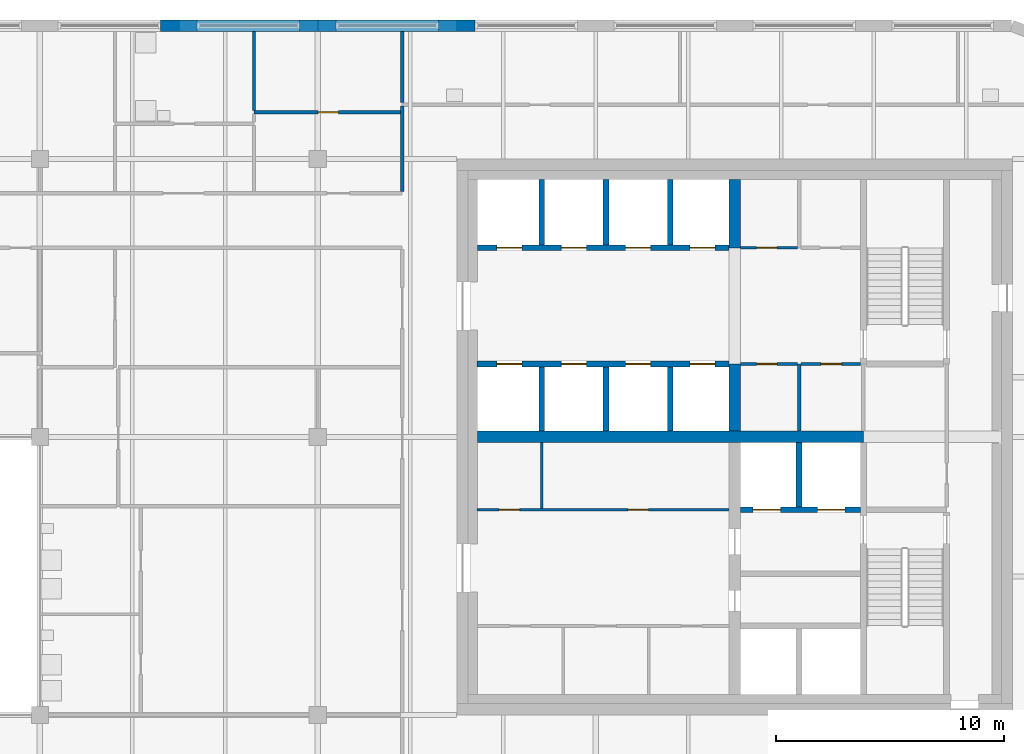
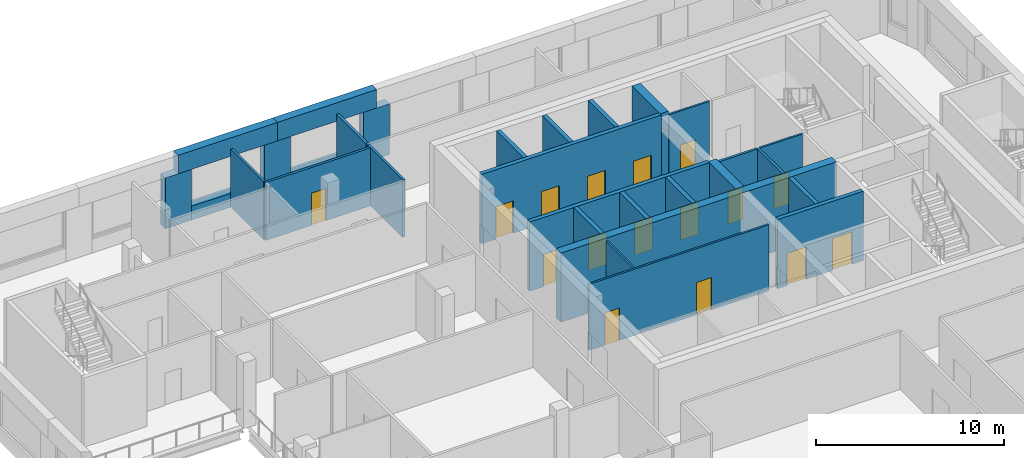
# One storey, part 15 of 21: 30 walls, 16 doors, 16 openings.
"""IFC4 building model written with IfcOpenShell, lengths in metres."""

from ifc_helpers import new_model, si_unit, direction, frame, frame_2d, origin, place, context, subcontext, project, spatial, polyline, rectangle, outline, extrude, faceted_brep, source, transform, mapped, material, layer, layer_set, type_object, element, fill, save


model = new_model("IFC4")

# Units and contexts
model_context = context("Model", 3, precision=1e-05, world=origin(), true_north=direction((0.0, 1.0)))
body_context = subcontext(model_context, "Body", "Model", "MODEL_VIEW")
ifc_project = project(units=[si_unit("LENGTHUNIT", "METRE"), si_unit("AREAUNIT", "SQUARE_METRE"), si_unit("VOLUMEUNIT", "CUBIC_METRE"), si_unit("PLANEANGLEUNIT", "RADIAN"), si_unit("MASSUNIT", "GRAM", prefix="KILO")], contexts=[model_context])

# Site, building, storey
site_placement = place(None, origin())
site = spatial("IfcSite", under=ifc_project, at=site_placement, CompositionType="ELEMENT")
building_placement = place(site_placement, origin())
building = spatial("IfcBuilding", under=site, at=building_placement, Name="Tessera Gate Towers", CompositionType="ELEMENT")
storey_placement = place(building_placement, frame((0.0, 0.0, 193.39990234375)))
storey = spatial("IfcBuildingStorey", under=building, at=storey_placement, Name="L48", CompositionType="ELEMENT", Elevation=193.39990234375)

# Wall, openings, doors
ifc_material_1 = material(Name="Concrete C40/50", Category="concrete")
ifc_layer_1 = layer(ifc_material_1, 0.25)
ifc_layer_set_1 = layer_set([ifc_layer_1], Name="CORE ENCLOSURE WALL 250")
wall_type_1 = type_object("IfcWallType", Name="CORE ENCLOSURE WALL 250", PredefinedType="SOLIDWALL", material=ifc_layer_set_1)
wall_1_placement = place(storey_placement, frame((31.39990234375, 39.800048828125, 0.0), z_axis=(0.0, 0.0, 1.0), x_axis=(1.0, 0.0, 0.0)))
wall_1 = element("IfcWall", 1, at=wall_1_placement, inside=storey, type_object=wall_type_1, Name="L48 shaft and stair enclosure wall", PredefinedType="SOLIDWALL", context=body_context, shape_type="SweptSolid", body=[
    extrude(rectangle(XDim=11.050048828125, YDim=0.25, at=frame_2d((5.52490234375, 0.0))), origin(), (0.0, 0.0, 1.0), 4.5),
])
shared_shape_1 = source(origin(), body_context, "Body", "SweptSolid", [
    extrude(rectangle(XDim=1.10009765625, YDim=2.10009765625, at=frame_2d((0.550048828125, 1.050048828125))), frame((0.0, 0.135009765625, 0.0), z_axis=(0.0, -1.0, 0.0), x_axis=(1.0, 0.0, 0.0)), (0.0, 0.0, 1.0), 0.27001953125),
])
opening_1_placement = place(wall_1_placement, frame((0.862548828125, 0.0, 0.0)))
opening_1 = element("IfcOpeningElement", 2, at=opening_1_placement, cuts=wall_1, Name="Opening LD-HR1", PredefinedType="OPENING", context=body_context, shape_type="MappedRepresentation", body=[
    mapped(shared_shape_1, transform((0.0, 0.0, 0.0), scale=1.0)),
])
opening_2_placement = place(wall_1_placement, frame((3.6875, 0.0, 0.0)))
opening_2 = element("IfcOpeningElement", 3, at=opening_2_placement, cuts=wall_1, Name="Opening LD-HR2", PredefinedType="OPENING", context=body_context, shape_type="MappedRepresentation", body=[
    mapped(shared_shape_1, transform((0.0, 0.0, 0.0), scale=1.0)),
])
opening_3_placement = place(wall_1_placement, frame((6.512451171875, 0.0, 0.0)))
opening_3 = element("IfcOpeningElement", 4, at=opening_3_placement, cuts=wall_1, Name="Opening LD-HR3", PredefinedType="OPENING", context=body_context, shape_type="MappedRepresentation", body=[
    mapped(shared_shape_1, transform((0.0, 0.0, 0.0), scale=1.0)),
])
opening_4_placement = place(wall_1_placement, frame((9.33740234375, 0.0, 0.0)))
opening_4 = element("IfcOpeningElement", 5, at=opening_4_placement, cuts=wall_1, Name="Opening LD-HR4", PredefinedType="OPENING", context=body_context, shape_type="MappedRepresentation", body=[
    mapped(shared_shape_1, transform((0.0, 0.0, 0.0), scale=1.0)),
])
ifc_material_2 = material(Name="Stainless steel", Category="steel")
door_type_1 = type_object("IfcDoorType", Name="CORE DOOR LD 1100x2100", OperationType="DOUBLE_DOOR_SLIDING", PredefinedType="DOOR", material=ifc_material_2)
shared_shape_2 = source(origin(), body_context, "Body", "SweptSolid", [
    extrude(rectangle(XDim=1.10009765625, YDim=2.10009765625, at=frame_2d((0.550048828125, 1.050048828125))), frame((0.0, 0.02490234375, 0.0), z_axis=(0.0, -1.0, 0.0), x_axis=(1.0, 0.0, 0.0)), (0.0, 0.0, 1.0), 0.050048828125),
])
door_1_placement = place(opening_1_placement, origin())
door_1 = element("IfcDoor", 6, at=door_1_placement, inside=storey, type_object=door_type_1, Name="Landing door HR1 L48", OperationType="DOUBLE_DOOR_SLIDING", OverallHeight=2.10009765625, OverallWidth=1.10009765625, PredefinedType="DOOR", context=body_context, shape_type="MappedRepresentation", body=[
    mapped(shared_shape_2, transform((0.0, 0.0, 0.0), scale=1.0)),
])
fill(opening_1, door_1)
door_2_placement = place(opening_2_placement, origin())
door_2 = element("IfcDoor", 7, at=door_2_placement, inside=storey, type_object=door_type_1, Name="Landing door HR2 L48", OperationType="DOUBLE_DOOR_SLIDING", OverallHeight=2.10009765625, OverallWidth=1.10009765625, PredefinedType="DOOR", context=body_context, shape_type="MappedRepresentation", body=[
    mapped(shared_shape_2, transform((0.0, 0.0, 0.0), scale=1.0)),
])
fill(opening_2, door_2)
door_3_placement = place(opening_3_placement, origin())
door_3 = element("IfcDoor", 8, at=door_3_placement, inside=storey, type_object=door_type_1, Name="Landing door HR3 L48", OperationType="DOUBLE_DOOR_SLIDING", OverallHeight=2.10009765625, OverallWidth=1.10009765625, PredefinedType="DOOR", context=body_context, shape_type="MappedRepresentation", body=[
    mapped(shared_shape_2, transform((0.0, 0.0, 0.0), scale=1.0)),
])
fill(opening_3, door_3)
door_4_placement = place(opening_4_placement, origin())
door_4 = element("IfcDoor", 9, at=door_4_placement, inside=storey, type_object=door_type_1, Name="Landing door HR4 L48", OperationType="DOUBLE_DOOR_SLIDING", OverallHeight=2.10009765625, OverallWidth=1.10009765625, PredefinedType="DOOR", context=body_context, shape_type="MappedRepresentation", body=[
    mapped(shared_shape_2, transform((0.0, 0.0, 0.0), scale=1.0)),
])
fill(opening_4, door_4)

wall_2_placement = place(storey_placement, frame((42.449951171875, 44.89990234375, 0.0), z_axis=(0.0, 0.0, 1.0), x_axis=(-1.0, 0.0, 0.0)))
wall_2 = element("IfcWall", 10, at=wall_2_placement, inside=storey, type_object=wall_type_1, Name="L48 shaft and stair enclosure wall", PredefinedType="SOLIDWALL", context=body_context, shape_type="SweptSolid", body=[
    extrude(rectangle(XDim=11.050048828125, YDim=0.25, at=frame_2d((5.52490234375, 0.0))), origin(), (0.0, 0.0, 1.0), 4.5),
])
opening_5_placement = place(wall_2_placement, frame((9.08740234375, 0.0, 0.0)))
opening_5 = element("IfcOpeningElement", 11, at=opening_5_placement, cuts=wall_2, Name="Opening LD-HR5", PredefinedType="OPENING", context=body_context, shape_type="MappedRepresentation", body=[
    mapped(shared_shape_1, transform((0.0, 0.0, 0.0), scale=1.0)),
])
opening_6_placement = place(wall_2_placement, frame((6.262451171875, 0.0, 0.0)))
opening_6 = element("IfcOpeningElement", 12, at=opening_6_placement, cuts=wall_2, Name="Opening LD-HR6", PredefinedType="OPENING", context=body_context, shape_type="MappedRepresentation", body=[
    mapped(shared_shape_1, transform((0.0, 0.0, 0.0), scale=1.0)),
])
opening_7_placement = place(wall_2_placement, frame((3.4375, 0.0, 0.0)))
opening_7 = element("IfcOpeningElement", 13, at=opening_7_placement, cuts=wall_2, Name="Opening LD-HR7", PredefinedType="OPENING", context=body_context, shape_type="MappedRepresentation", body=[
    mapped(shared_shape_1, transform((0.0, 0.0, 0.0), scale=1.0)),
])
opening_8_placement = place(wall_2_placement, frame((0.612548828125, 0.0, 0.0)))
opening_8 = element("IfcOpeningElement", 14, at=opening_8_placement, cuts=wall_2, Name="Opening LD-HR8", PredefinedType="OPENING", context=body_context, shape_type="MappedRepresentation", body=[
    mapped(shared_shape_1, transform((0.0, 0.0, 0.0), scale=1.0)),
])
door_5_placement = place(opening_5_placement, origin())
door_5 = element("IfcDoor", 15, at=door_5_placement, inside=storey, type_object=door_type_1, Name="Landing door HR5 L48", OperationType="DOUBLE_DOOR_SLIDING", OverallHeight=2.10009765625, OverallWidth=1.10009765625, PredefinedType="DOOR", context=body_context, shape_type="MappedRepresentation", body=[
    mapped(shared_shape_2, transform((0.0, 0.0, 0.0), scale=1.0)),
])
fill(opening_5, door_5)
door_6_placement = place(opening_6_placement, origin())
door_6 = element("IfcDoor", 16, at=door_6_placement, inside=storey, type_object=door_type_1, Name="Landing door HR6 L48", OperationType="DOUBLE_DOOR_SLIDING", OverallHeight=2.10009765625, OverallWidth=1.10009765625, PredefinedType="DOOR", context=body_context, shape_type="MappedRepresentation", body=[
    mapped(shared_shape_2, transform((0.0, 0.0, 0.0), scale=1.0)),
])
fill(opening_6, door_6)
door_7_placement = place(opening_7_placement, origin())
door_7 = element("IfcDoor", 17, at=door_7_placement, inside=storey, type_object=door_type_1, Name="Landing door HR7 L48", OperationType="DOUBLE_DOOR_SLIDING", OverallHeight=2.10009765625, OverallWidth=1.10009765625, PredefinedType="DOOR", context=body_context, shape_type="MappedRepresentation", body=[
    mapped(shared_shape_2, transform((0.0, 0.0, 0.0), scale=1.0)),
])
fill(opening_7, door_7)
door_8_placement = place(opening_8_placement, origin())
door_8 = element("IfcDoor", 18, at=door_8_placement, inside=storey, type_object=door_type_1, Name="Landing door HR8 L48", OperationType="DOUBLE_DOOR_SLIDING", OverallHeight=2.10009765625, OverallWidth=1.10009765625, PredefinedType="DOOR", context=body_context, shape_type="MappedRepresentation", body=[
    mapped(shared_shape_2, transform((0.0, 0.0, 0.0), scale=1.0)),
])
fill(opening_8, door_8)

wall_3_placement = place(storey_placement, frame((48.22509765625, 33.39990234375, 0.0), z_axis=(0.0, 0.0, 1.0), x_axis=(-1.0, 0.0, 0.0)))
wall_3 = element("IfcWall", 19, at=wall_3_placement, inside=storey, type_object=wall_type_1, Name="L48 shaft and stair enclosure wall", PredefinedType="SOLIDWALL", context=body_context, shape_type="SweptSolid", body=[
    extrude(rectangle(XDim=5.275146484375, YDim=0.25, at=frame_2d((2.6376953125, 0.0))), origin(), (0.0, 0.0, 1.0), 4.5),
])
shared_shape_3 = source(origin(), body_context, "Body", "SweptSolid", [
    extrude(rectangle(XDim=1.199951171875, YDim=2.10009765625, at=frame_2d((0.60009765625, 1.050048828125))), frame((0.0, 0.135009765625, 0.0), z_axis=(0.0, -1.0, 0.0), x_axis=(1.0, 0.0, 0.0)), (0.0, 0.0, 1.0), 0.27001953125),
])
opening_9_placement = place(wall_3_placement, frame((3.512451171875, 0.0, 0.0)))
opening_9 = element("IfcOpeningElement", 20, at=opening_9_placement, cuts=wall_3, Name="Opening LD-FF1", PredefinedType="OPENING", context=body_context, shape_type="MappedRepresentation", body=[
    mapped(shared_shape_3, transform((0.0, 0.0, 0.0), scale=1.0)),
])
opening_10_placement = place(wall_3_placement, frame((0.6875, 0.0, 0.0)))
opening_10 = element("IfcOpeningElement", 21, at=opening_10_placement, cuts=wall_3, Name="Opening LD-FF2", PredefinedType="OPENING", context=body_context, shape_type="MappedRepresentation", body=[
    mapped(shared_shape_3, transform((0.0, 0.0, 0.0), scale=1.0)),
])
ifc_material_3 = material(Name="Stainless steel", Category="steel")
door_type_2 = type_object("IfcDoorType", Name="CORE DOOR LD1200 1200x2100", OperationType="DOUBLE_DOOR_SLIDING", PredefinedType="DOOR", material=ifc_material_3)
shared_shape_4 = source(origin(), body_context, "Body", "SweptSolid", [
    extrude(rectangle(XDim=1.199951171875, YDim=2.10009765625, at=frame_2d((0.60009765625, 1.050048828125))), frame((0.0, 0.02490234375, 0.0), z_axis=(0.0, -1.0, 0.0), x_axis=(1.0, 0.0, 0.0)), (0.0, 0.0, 1.0), 0.050048828125),
])
door_9_placement = place(opening_9_placement, origin())
door_9 = element("IfcDoor", 22, at=door_9_placement, inside=storey, type_object=door_type_2, Name="Landing door FF1 L48", OperationType="DOUBLE_DOOR_SLIDING", OverallHeight=2.10009765625, OverallWidth=1.199951171875, PredefinedType="DOOR", context=body_context, shape_type="MappedRepresentation", body=[
    mapped(shared_shape_4, transform((0.0, 0.0, 0.0), scale=1.0)),
])
fill(opening_9, door_9)
door_10_placement = place(opening_10_placement, origin())
door_10 = element("IfcDoor", 23, at=door_10_placement, inside=storey, type_object=door_type_2, Name="Landing door FF2 L48", OperationType="DOUBLE_DOOR_SLIDING", OverallHeight=2.10009765625, OverallWidth=1.199951171875, PredefinedType="DOOR", context=body_context, shape_type="MappedRepresentation", body=[
    mapped(shared_shape_4, transform((0.0, 0.0, 0.0), scale=1.0)),
])
fill(opening_10, door_10)

# Walls
for number, where, z_axis, x_axis, name in (
    (24, (34.22509765625, 36.85009765625, 0.0), (0.0, 0.0, 1.0), (0.0, 1.0, 0.0), "L48 shaft and stair enclosure wall"),
    (25, (37.050048828125, 36.85009765625, 0.0), (0.0, 0.0, 1.0), (0.0, 1.0, 0.0), "L48 shaft and stair enclosure wall"),
    (26, (39.875, 36.85009765625, 0.0), (0.0, 0.0, 1.0), (0.0, 1.0, 0.0), "L48 shaft and stair enclosure wall"),
):
    element("IfcWall", number, at=place(storey_placement, frame(where, z_axis=z_axis, x_axis=x_axis)), inside=storey, type_object=wall_type_1, Name=name, PredefinedType="SOLIDWALL", context=body_context, shape_type="SweptSolid", body=[
        extrude(rectangle(XDim=2.824951171875, YDim=0.25, at=frame_2d((1.41259765625, 0.0))), origin(), (0.0, 0.0, 1.0), 4.5),
    ])
wall_4_placement = place(storey_placement, frame((45.52490234375, 33.52490234375, 0.0), z_axis=(0.0, 0.0, 1.0), x_axis=(0.0, 1.0, 0.0)))
element("IfcWall", 27, at=wall_4_placement, inside=storey, type_object=wall_type_1, Name="L48 shaft and stair enclosure wall", PredefinedType="SOLIDWALL", context=body_context, shape_type="SweptSolid", body=[
    extrude(rectangle(XDim=2.8251953125, YDim=0.25, at=frame_2d((1.41259765625, 0.0))), origin(), (0.0, 0.0, 1.0), 4.5),
])
for number, where, z_axis, x_axis, name in (
    (28, (34.22509765625, 45.02490234375, 0.0), (0.0, 0.0, 1.0), (0.0, 1.0, 0.0), "L48 shaft and stair enclosure wall"),
    (29, (37.050048828125, 45.02490234375, 0.0), (0.0, 0.0, 1.0), (0.0, 1.0, 0.0), "L48 shaft and stair enclosure wall"),
    (30, (39.875, 45.02490234375, 0.0), (0.0, 0.0, 1.0), (0.0, 1.0, 0.0), "L48 shaft and stair enclosure wall"),
):
    element("IfcWall", number, at=place(storey_placement, frame(where, z_axis=z_axis, x_axis=x_axis)), inside=storey, type_object=wall_type_1, Name=name, PredefinedType="SOLIDWALL", context=body_context, shape_type="SweptSolid", body=[
        extrude(rectangle(XDim=2.875, YDim=0.25, at=frame_2d((1.4375, 0.0))), origin(), (0.0, 0.0, 1.0), 4.5),
    ])

# Wall, openings, doors
ifc_material_4 = material(Name="Gypsum board on steel studs", Category="steel")
ifc_layer_2 = layer(ifc_material_4, 0.1201171875)
ifc_layer_set_2 = layer_set([ifc_layer_2], Name="CORE PARTITION 120")
wall_type_2 = type_object("IfcWallType", Name="CORE PARTITION 120", PredefinedType="PARTITIONING", material=ifc_layer_set_2)
wall_5_placement = place(storey_placement, frame((31.39990234375, 33.39990234375, 0.0), z_axis=(0.0, 0.0, 1.0), x_axis=(1.0, 0.0, 0.0)))
wall_5 = element("IfcWall", 31, at=wall_5_placement, inside=storey, type_object=wall_type_2, Name="L48 core partition", PredefinedType="PARTITIONING", context=body_context, shape_type="SweptSolid", body=[
    extrude(rectangle(XDim=11.050048828125, YDim=0.1201171875, at=frame_2d((5.52490234375, 0.0))), origin(), (0.0, 0.0, 1.0), 4.300048828125),
])
shared_shape_5 = source(origin(), body_context, "Body", "SweptSolid", [
    extrude(rectangle(XDim=0.89990234375, YDim=2.10009765625, at=frame_2d((0.449951171875, 1.050048828125))), frame((0.0, 0.070068359375, 0.0), z_axis=(0.0, -1.0, 0.0), x_axis=(1.0, 0.0, 0.0)), (0.0, 0.0, 1.0), 0.14013671875),
])
opening_11_placement = place(wall_5_placement, frame((0.96240234375, 0.0, 0.0)))
opening_11 = element("IfcOpeningElement", 32, at=opening_11_placement, cuts=wall_5, Name="Opening RD-T1-30-10", PredefinedType="OPENING", context=body_context, shape_type="MappedRepresentation", body=[
    mapped(shared_shape_5, transform((0.0, 0.0, 0.0), scale=1.0)),
])
opening_12_placement = place(wall_5_placement, frame((6.612548828125, 0.0, 0.0)))
opening_12 = element("IfcOpeningElement", 33, at=opening_12_placement, cuts=wall_5, Name="Opening RD-T1-30-11", PredefinedType="OPENING", context=body_context, shape_type="MappedRepresentation", body=[
    mapped(shared_shape_5, transform((0.0, 0.0, 0.0), scale=1.0)),
])
ifc_material_5 = material(Name="Hollow steel fire door", Category="steel")
door_type_3 = type_object("IfcDoorType", Name="CORE DOOR RD 900x2100", OperationType="NOTDEFINED", PredefinedType="DOOR", material=ifc_material_5)
shared_shape_6 = source(origin(), body_context, "Body", "SweptSolid", [
    extrude(rectangle(XDim=0.89990234375, YDim=2.10009765625, at=frame_2d((0.449951171875, 1.050048828125))), frame((0.0, 0.02490234375, 0.0), z_axis=(0.0, -1.0, 0.0), x_axis=(1.0, 0.0, 0.0)), (0.0, 0.0, 1.0), 0.050048828125),
])
door_11_placement = place(opening_11_placement, origin())
door_11 = element("IfcDoor", 34, at=door_11_placement, inside=storey, type_object=door_type_3, Name="Core room door", OperationType="SINGLE_SWING_LEFT", OverallHeight=2.10009765625, OverallWidth=0.89990234375, PredefinedType="DOOR", context=body_context, shape_type="MappedRepresentation", body=[
    mapped(shared_shape_6, transform((0.0, 0.0, 0.0), scale=1.0)),
])
fill(opening_11, door_11)
door_12_placement = place(opening_12_placement, origin())
door_12 = element("IfcDoor", 35, at=door_12_placement, inside=storey, type_object=door_type_3, Name="Core room door", OperationType="SINGLE_SWING_RIGHT", OverallHeight=2.10009765625, OverallWidth=0.89990234375, PredefinedType="DOOR", context=body_context, shape_type="MappedRepresentation", body=[
    mapped(shared_shape_6, transform((0.0, 0.0, 0.0), scale=1.0)),
])
fill(opening_12, door_12)

# Wall
wall_6_placement = place(storey_placement, frame((34.22509765625, 33.4599609375, 0.0), z_axis=(0.0, 0.0, 1.0), x_axis=(0.0, 1.0, 0.0)))
element("IfcWall", 36, at=wall_6_placement, inside=storey, type_object=wall_type_2, Name="L48 core partition", PredefinedType="PARTITIONING", context=body_context, shape_type="SweptSolid", body=[
    extrude(rectangle(XDim=2.89013671875, YDim=0.1201171875, at=frame_2d((1.445068359375, 0.0))), origin(), (0.0, 0.0, 1.0), 4.300048828125),
])

# Wall, opening, door
wall_7_placement = place(storey_placement, frame((48.22509765625, 39.800048828125, 0.0), z_axis=(0.0, 0.0, 1.0), x_axis=(-1.0, 0.0, 0.0)))
wall_7 = element("IfcWall", 37, at=wall_7_placement, inside=storey, type_object=wall_type_2, Name="L48 core partition", PredefinedType="PARTITIONING", context=body_context, shape_type="SweptSolid", body=[
    extrude(rectangle(XDim=2.625, YDim=0.1201171875, at=frame_2d((1.3125, 0.0))), origin(), (0.0, 0.0, 1.0), 4.300048828125),
])
opening_13_placement = place(wall_7_placement, frame((0.83740234375, 0.0, 0.0)))
opening_13 = element("IfcOpeningElement", 38, at=opening_13_placement, cuts=wall_7, Name="Opening RD-T1-30-14", PredefinedType="OPENING", context=body_context, shape_type="MappedRepresentation", body=[
    mapped(shared_shape_5, transform((0.0, 0.0, 0.0), scale=1.0)),
])
door_13_placement = place(opening_13_placement, origin())
door_13 = element("IfcDoor", 39, at=door_13_placement, inside=storey, type_object=door_type_3, Name="Core room door", OperationType="SINGLE_SWING_LEFT", OverallHeight=2.10009765625, OverallWidth=0.89990234375, PredefinedType="DOOR", context=body_context, shape_type="MappedRepresentation", body=[
    mapped(shared_shape_6, transform((0.0, 0.0, 0.0), scale=1.0)),
])
fill(opening_13, door_13)

wall_8_placement = place(storey_placement, frame((42.949951171875, 44.89990234375, 0.0), z_axis=(0.0, 0.0, 1.0), x_axis=(1.0, 0.0, 0.0)))
wall_8 = element("IfcWall", 40, at=wall_8_placement, inside=storey, type_object=wall_type_2, Name="L48 core partition", PredefinedType="PARTITIONING", context=body_context, shape_type="SweptSolid", body=[
    extrude(rectangle(XDim=2.5, YDim=0.1201171875, at=frame_2d((1.25, 0.0))), origin(), (0.0, 0.0, 1.0), 4.300048828125),
])
opening_14_placement = place(wall_8_placement, frame((0.71240234375, 0.0, 0.0)))
opening_14 = element("IfcOpeningElement", 41, at=opening_14_placement, cuts=wall_8, Name="Opening RD-T1-30-15", PredefinedType="OPENING", context=body_context, shape_type="MappedRepresentation", body=[
    mapped(shared_shape_5, transform((0.0, 0.0, 0.0), scale=1.0)),
])
door_14_placement = place(opening_14_placement, origin())
door_14 = element("IfcDoor", 42, at=door_14_placement, inside=storey, type_object=door_type_3, Name="Core room door", OperationType="SINGLE_SWING_LEFT", OverallHeight=2.10009765625, OverallWidth=0.89990234375, PredefinedType="DOOR", context=body_context, shape_type="MappedRepresentation", body=[
    mapped(shared_shape_6, transform((0.0, 0.0, 0.0), scale=1.0)),
])
fill(opening_14, door_14)

# Walls
ifc_material_6 = material(Name="Concrete C50/60", Category="concrete")
ifc_layer_3 = layer(ifc_material_6, 0.5)
ifc_layer_set_3 = layer_set([ifc_layer_3], Name="CORE SPINE WALL 500 C50/60")
wall_type_3 = type_object("IfcWallType", Name="CORE SPINE WALL 500 C50/60", PredefinedType="SHEAR", material=ifc_layer_set_3)
wall_9_placement = place(storey_placement, frame((31.39990234375, 36.60009765625, 0.0), z_axis=(0.0, 0.0, 1.0), x_axis=(1.0, 0.0, 0.0)))
element("IfcWall", 43, at=wall_9_placement, inside=storey, type_object=wall_type_3, Name="Core wall spine L48", PredefinedType="SHEAR", context=body_context, shape_type="SweptSolid", body=[
    extrude(rectangle(XDim=16.9501953125, YDim=0.5, at=frame_2d((8.47509765625, 0.0))), origin(), (0.0, 0.0, 1.0), 4.5),
])
wall_10_placement = place(storey_placement, frame((42.699951171875, 36.85009765625, 0.0), z_axis=(0.0, 0.0, 1.0), x_axis=(0.0, 1.0, 0.0)))
element("IfcWall", 44, at=wall_10_placement, inside=storey, type_object=wall_type_3, Name="Core wall spine L48", PredefinedType="SHEAR", context=body_context, shape_type="SweptSolid", body=[
    extrude(rectangle(XDim=2.949951171875, YDim=0.5, at=frame_2d((1.47509765625, 0.0))), origin(), (0.0, 0.0, 1.0), 4.5),
])
wall_11_placement = place(storey_placement, frame((42.699951171875, 44.89990234375, 0.0), z_axis=(0.0, 0.0, 1.0), x_axis=(0.0, 1.0, 0.0)))
element("IfcWall", 45, at=wall_11_placement, inside=storey, type_object=wall_type_3, Name="Core wall spine L48", PredefinedType="SHEAR", context=body_context, shape_type="SweptSolid", body=[
    extrude(rectangle(XDim=3.0, YDim=0.5, at=frame_2d((1.5, 0.0))), origin(), (0.0, 0.0, 1.0), 4.5),
])
ifc_material_7 = material(Name="Gypsum board on steel studs, mineral wool", Category="steel")
ifc_layer_4 = layer(ifc_material_7, 0.14990234375)
ifc_layer_set_4 = layer_set([ifc_layer_4], Name="CORRIDOR WALL 150")
wall_type_4 = type_object("IfcWallType", Name="CORRIDOR WALL 150", PredefinedType="PARTITIONING", material=ifc_layer_set_4)
wall_12_placement = place(storey_placement, frame((28.10009765625, 47.3759765625, 0.0), z_axis=(0.0, 0.0, 1.0), x_axis=(0.0, 1.0, 0.0)))
element("IfcWall", 46, at=wall_12_placement, inside=storey, type_object=wall_type_4, Name="T1-L48-PW-042", PredefinedType="PARTITIONING", context=body_context, shape_type="SweptSolid", body=[
    extrude(rectangle(XDim=3.748046875, YDim=0.14990234375, at=frame_2d((1.8740234375, 0.0))), origin(), (0.0, 0.0, 1.0), 3.76708984375),
])
ifc_material_8 = material(Name="Gypsum board on steel studs", Category="steel")
ifc_layer_5 = layer(ifc_material_8, 0.14990234375)
ifc_layer_set_5 = layer_set([ifc_layer_5], Name="SERVICE ROOM WALL 150")
wall_type_5 = type_object("IfcWallType", Name="SERVICE ROOM WALL 150", PredefinedType="PARTITIONING", material=ifc_layer_set_5)
wall_13_placement = place(storey_placement, frame((45.52490234375, 36.85009765625, 0.0), z_axis=(0.0, 0.0, 1.0), x_axis=(0.0, 1.0, 0.0)))
element("IfcWall", 47, at=wall_13_placement, inside=storey, type_object=wall_type_5, Name="L48 service room wall", PredefinedType="PARTITIONING", context=body_context, shape_type="SweptSolid", body=[
    extrude(rectangle(XDim=2.949951171875, YDim=0.14990234375, at=frame_2d((1.47509765625, 0.0))), origin(), (0.0, 0.0, 1.0), 4.300048828125),
])

# Wall, opening, door
wall_14_placement = place(storey_placement, frame((45.449951171875, 39.800048828125, 0.0), z_axis=(0.0, 0.0, 1.0), x_axis=(-1.0, 0.0, 0.0)))
wall_14 = element("IfcWall", 48, at=wall_14_placement, inside=storey, type_object=wall_type_5, Name="L48 service room wall", PredefinedType="PARTITIONING", context=body_context, shape_type="SweptSolid", body=[
    extrude(rectangle(XDim=2.5, YDim=0.14990234375, at=frame_2d((1.25, 0.0))), origin(), (0.0, 0.0, 1.0), 4.300048828125),
])
shared_shape_7 = source(origin(), body_context, "Body", "SweptSolid", [
    extrude(rectangle(XDim=0.89990234375, YDim=2.10009765625, at=frame_2d((0.449951171875, 1.050048828125))), frame((0.0, 0.0849609375, 0.0), z_axis=(0.0, -1.0, 0.0), x_axis=(1.0, 0.0, 0.0)), (0.0, 0.0, 1.0), 0.169921875),
])
opening_15_placement = place(wall_14_placement, frame((0.887451171875, 0.0, 0.0)))
opening_15 = element("IfcOpeningElement", 49, at=opening_15_placement, cuts=wall_14, Name="Opening RD-T1-30-13", PredefinedType="OPENING", context=body_context, shape_type="MappedRepresentation", body=[
    mapped(shared_shape_7, transform((0.0, 0.0, 0.0), scale=1.0)),
])
door_15_placement = place(opening_15_placement, origin())
door_15 = element("IfcDoor", 50, at=door_15_placement, inside=storey, type_object=door_type_3, Name="Core room door", OperationType="SINGLE_SWING_RIGHT", OverallHeight=2.10009765625, OverallWidth=0.89990234375, PredefinedType="DOOR", context=body_context, shape_type="MappedRepresentation", body=[
    mapped(shared_shape_6, transform((0.0, 0.0, 0.0), scale=1.0)),
])
fill(opening_15, door_15)

ifc_material_9 = material(Name="Gypsum board on steel studs, mineral wool", Category="steel")
ifc_layer_6 = layer(ifc_material_9, 0.14990234375)
ifc_layer_set_6 = layer_set([ifc_layer_6], Name="TENANCY WALL 150")
wall_type_6 = type_object("IfcWallType", Name="TENANCY WALL 150", PredefinedType="PARTITIONING", material=ifc_layer_set_6)
wall_15_placement = place(storey_placement, frame((21.60009765625, 50.85009765625, 0.0), z_axis=(0.0, 0.0, 1.0), x_axis=(1.0, 0.0, 0.0)))
wall_15 = element("IfcWall", 51, at=wall_15_placement, inside=storey, type_object=wall_type_6, Name="T1-L48-PW-047", PredefinedType="PARTITIONING", context=body_context, shape_type="SweptSolid", body=[
    extrude(rectangle(XDim=6.423828125, YDim=0.14990234375, at=frame_2d((3.2119140625, 0.0))), origin(), (0.0, 0.0, 1.0), 3.76708984375),
])
opening_16_placement = place(wall_15_placement, frame((2.800048828125, 0.0, 0.0)))
opening_16 = element("IfcOpeningElement", 52, at=opening_16_placement, cuts=wall_15, Name="Opening D190-A35-06", PredefinedType="OPENING", context=body_context, shape_type="MappedRepresentation", body=[
    mapped(shared_shape_7, transform((0.0, 0.0, 0.0), scale=1.0)),
])
ifc_material_10 = material(Name="Timber door leaf in steel frame", Category="steel")
door_type_4 = type_object("IfcDoorType", Name="INTERNAL DOOR 900 NOT RATED", OperationType="NOTDEFINED", PredefinedType="DOOR", material=ifc_material_10)
door_16_placement = place(opening_16_placement, origin())
door_16 = element("IfcDoor", 53, at=door_16_placement, inside=storey, type_object=door_type_4, Name="T1-L48-PD-017", OperationType="SINGLE_SWING_LEFT", OverallHeight=2.10009765625, OverallWidth=0.89990234375, PredefinedType="DOOR", context=body_context, shape_type="MappedRepresentation", body=[
    mapped(shared_shape_6, transform((0.0, 0.0, 0.0), scale=1.0)),
])
fill(opening_16, door_16)

# Walls
wall_16_placement = place(storey_placement, frame((21.60009765625, 50.926025390625, 0.0), z_axis=(0.0, 0.0, 1.0), x_axis=(0.0, 1.0, 0.0)))
element("IfcWall", 54, at=wall_16_placement, inside=storey, type_object=wall_type_6, Name="T1-L48-PW-048", PredefinedType="PARTITIONING", context=body_context, shape_type="SweptSolid", body=[
    extrude(rectangle(XDim=3.473876953125, YDim=0.14990234375, at=frame_2d((1.73681640625, 0.0))), origin(), (0.0, 0.0, 1.0), 3.76708984375),
])
wall_17_placement = place(storey_placement, frame((28.10009765625, 51.27587890625, 0.0), z_axis=(0.0, 0.0, 1.0), x_axis=(0.0, 1.0, 0.0)))
element("IfcWall", 55, at=wall_17_placement, inside=storey, type_object=wall_type_6, Name="T1-L48-PW-050", PredefinedType="PARTITIONING", context=body_context, shape_type="SweptSolid", body=[
    extrude(rectangle(XDim=3.1240234375, YDim=0.14990234375, at=frame_2d((1.56201171875, 0.0))), origin(), (0.0, 0.0, 1.0), 3.76708984375),
])
ifc_material_11 = material(Name="Precast concrete C60/75 white", Category="concrete")
ifc_layer_7 = layer(ifc_material_11, 0.5)
ifc_layer_set_7 = layer_set([ifc_layer_7], Name="RB1 ring band panel")
wall_type_7 = type_object("IfcWallType", Name="RB1 ring band panel", PredefinedType="SOLIDWALL", material=ifc_layer_set_7)
shared_shape_8 = source(origin(), body_context, "Body", "Brep", [
    faceted_brep([(0.0, -0.25, 0.0), (1.599853515625, -0.25, 0.0), (1.599853515625, -0.25, 3.300048828125), (0.0, -0.25, 3.300048828125), (0.0, 0.25, 3.300048828125), (1.599853515625, 0.25, 3.300048828125), (1.599853515625, 0.25, 0.0), (0.0, 0.25, 0.0)], [[[0, 1, 2, 3]], [[4, 5, 6, 7]], [[7, 6, 1, 0]], [[5, 4, 3, 2]], [[4, 7, 0, 3]], [[1, 6, 5, 2]]]),
])
wall_18_placement = place(storey_placement, frame((25.199951171875, 54.64990234375, 0.0), z_axis=(0.0, 0.0, 1.0), x_axis=(-1.0, 0.0, 0.0)))
element("IfcWall", 56, at=wall_18_placement, inside=storey, type_object=wall_type_7, Name="Ring band panel T1 RB1-0319", PredefinedType="SOLIDWALL", context=body_context, shape_type="MappedRepresentation", body=[
    mapped(shared_shape_8, transform((0.0, 0.0, 0.0), scale=1.0)),
])
shared_shape_9 = source(origin(), body_context, "Body", "SweptSolid", [
    extrude(outline(polyline([(0.0, 0.0), (1.60009765625, 0.0), (1.60009765625, 3.300048828125), (0.0, 3.300048828125), (0.0, 0.0)])), frame((0.0, 0.25, 0.0), z_axis=(0.0, -1.0, 0.0), x_axis=(1.0, 0.0, 0.0)), (0.0, 0.0, 1.0), 0.5),
])
for number, where, z_axis, x_axis, name in (
    (57, (31.300048828125, 54.64990234375, 0.0), (0.0, 0.0, 1.0), (-1.0, 0.0, 0.0), "Ring band panel T1 RB1-0318"),
    (58, (19.10009765625, 54.64990234375, 0.0), (0.0, 0.0, 1.0), (-1.0, 0.0, 0.0), "Ring band panel T1 RB1-0320"),
):
    element("IfcWall", number, at=place(storey_placement, frame(where, z_axis=z_axis, x_axis=x_axis)), inside=storey, type_object=wall_type_7, Name=name, PredefinedType="SOLIDWALL", context=body_context, shape_type="MappedRepresentation", body=[
        mapped(shared_shape_9, transform((0.0, 0.0, 0.0), scale=1.0)),
    ])
shared_shape_10 = source(origin(), body_context, "Body", "SweptSolid", [
    extrude(outline(polyline([(0.0, 0.0), (4.5, 0.0), (4.5, 0.900146484375), (0.0, 0.900146484375), (0.0, 0.0)])), frame((0.0, 0.25, 0.0), z_axis=(0.0, -1.0, 0.0), x_axis=(1.0, 0.0, 0.0)), (0.0, 0.0, 1.0), 0.5),
])
for number, where, z_axis, x_axis, name in (
    (59, (29.699951171875, 54.64990234375, 0.0), (0.0, 0.0, 1.0), (-1.0, 0.0, 0.0), "Ring band panel T1 RB1-0331"),
    (60, (23.60009765625, 54.64990234375, 0.0), (0.0, 0.0, 1.0), (-1.0, 0.0, 0.0), "Ring band panel T1 RB1-0333"),
):
    element("IfcWall", number, at=place(storey_placement, frame(where, z_axis=z_axis, x_axis=x_axis)), inside=storey, type_object=wall_type_7, Name=name, PredefinedType="SOLIDWALL", context=body_context, shape_type="MappedRepresentation", body=[
        mapped(shared_shape_10, transform((0.0, 0.0, 0.0), scale=1.0)),
    ])
shared_shape_11 = source(origin(), body_context, "Body", "Brep", [
    faceted_brep([(0.0, -0.25, 0.0), (6.099853515625, -0.25, 0.0), (6.099853515625, -0.25, 1.199951171875), (0.0, -0.25, 1.199951171875), (0.0, 0.25, 1.199951171875), (6.099853515625, 0.25, 1.199951171875), (6.099853515625, 0.25, 0.0), (0.0, 0.25, 0.0)], [[[0, 1, 2, 3]], [[4, 5, 6, 7]], [[7, 6, 1, 0]], [[5, 4, 3, 2]], [[4, 7, 0, 3]], [[1, 6, 5, 2]]]),
])
wall_19_placement = place(storey_placement, frame((24.39990234375, 54.64990234375, 3.300048828125), z_axis=(0.0, 0.0, 1.0), x_axis=(-1.0, 0.0, 0.0)))
element("IfcWall", 61, at=wall_19_placement, inside=storey, type_object=wall_type_7, Name="Ring band panel T1 RB1-0334", PredefinedType="SOLIDWALL", context=body_context, shape_type="MappedRepresentation", body=[
    mapped(shared_shape_11, transform((0.0, 0.0, 0.0), scale=1.0)),
])
shared_shape_12 = source(origin(), body_context, "Body", "SweptSolid", [
    extrude(outline(polyline([(0.0, 0.0), (6.10009765625, 0.0), (6.10009765625, 1.199951171875), (0.0, 1.199951171875), (0.0, 0.0)])), frame((0.0, 0.25, 0.0), z_axis=(0.0, -1.0, 0.0), x_axis=(1.0, 0.0, 0.0)), (0.0, 0.0, 1.0), 0.5),
])
wall_20_placement = place(storey_placement, frame((30.5, 54.64990234375, 3.300048828125), z_axis=(0.0, 0.0, 1.0), x_axis=(-1.0, 0.0, 0.0)))
element("IfcWall", 62, at=wall_20_placement, inside=storey, type_object=wall_type_7, Name="Ring band panel T1 RB1-0332", PredefinedType="SOLIDWALL", context=body_context, shape_type="MappedRepresentation", body=[
    mapped(shared_shape_12, transform((0.0, 0.0, 0.0), scale=1.0)),
])

save(model, "model.ifc")
